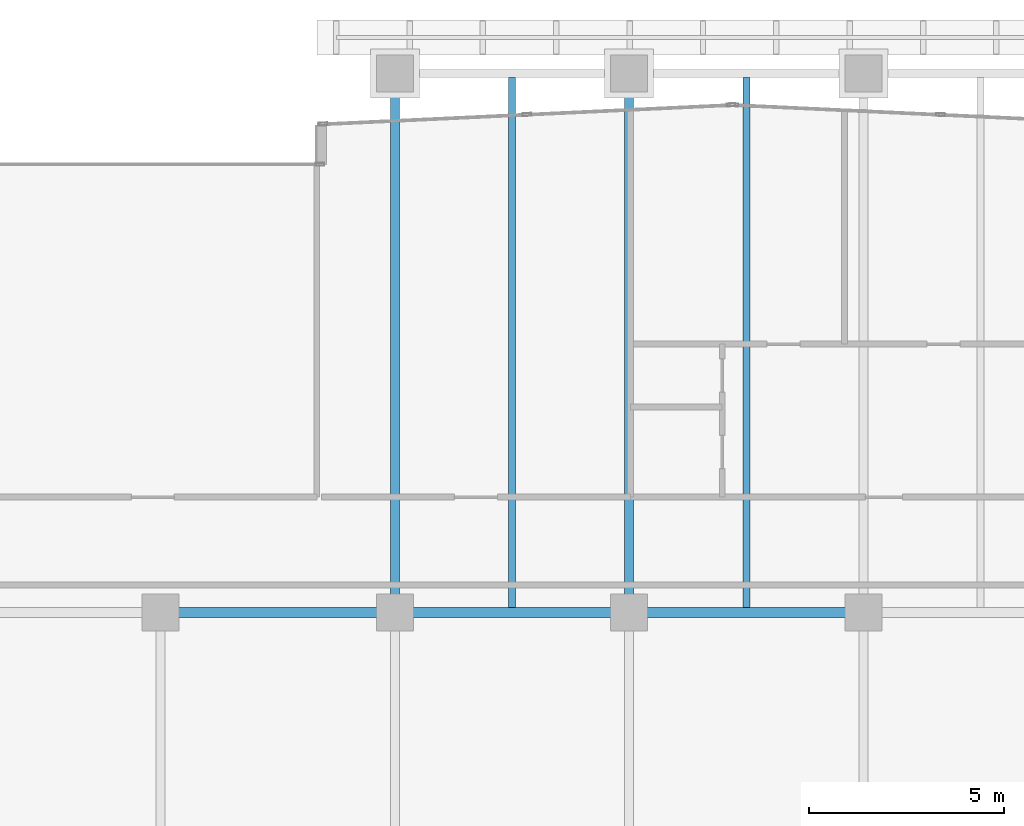
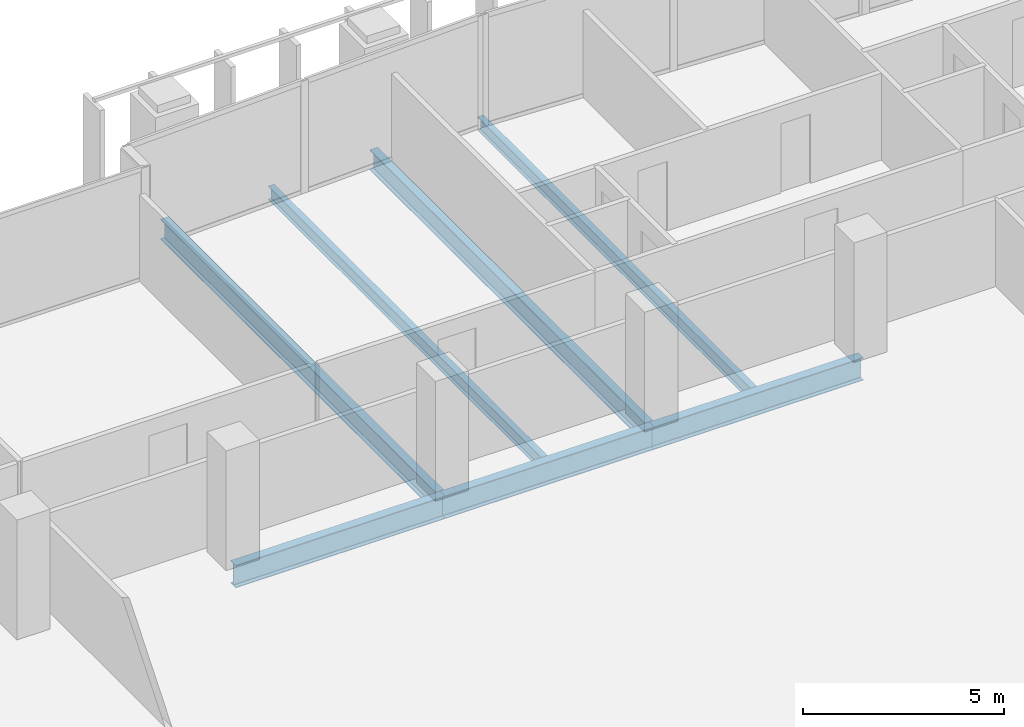
# One storey, part 15 of 39: 7 beams.
"""IFC4 building model written with IfcOpenShell, lengths in metres."""

import ifcopenshell
import ifcopenshell.guid

model = None  # the IFC model being written
_history = None  # IfcOwnerHistory: only IFC2X3 demands one
_inside = {}  # id of a spatial element -> (the spatial element, [elements in it])
_under = {}  # id of a project, library or spatial element -> (it, [spatial elements below it])
_declared = {}  # id of a project -> (the project, [libraries it declares])
_typed = {}  # id of a type object -> (the type object, [elements of that type])
_made_of = {}  # id of a material, layer set ... -> (it, [elements and type objects made of it])


def new_model(schema):
    """Start an empty IFC model of exactly this schema.

    Asked for "IFC4X3", IfcOpenShell would pick the latest addendum, in which some entities
    have other attributes; the version numbers below select the first issue.
    IFC2X3 requires an IfcOwnerHistory on every rooted entity: one is made here for all.
    """
    global model, _history
    if schema == "IFC4X3":
        model = ifcopenshell.file(schema_version=(4, 3, 0, 0))
    else:
        model = ifcopenshell.file(schema=schema)
    _inside.clear()
    _under.clear()
    _declared.clear()
    _typed.clear()
    _made_of.clear()
    _history = None
    if model.schema == "IFC2X3":
        org = make("IfcOrganization", Name="unknown")
        user = make(
            "IfcPersonAndOrganization",
            ThePerson=make("IfcPerson", FamilyName="unknown"),
            TheOrganization=org,
        )
        app = make(
            "IfcApplication",
            ApplicationDeveloper=org,
            Version="unknown",
            ApplicationFullName="unknown",
            ApplicationIdentifier="unknown",
        )
        _history = make(
            "IfcOwnerHistory",
            OwningUser=user,
            OwningApplication=app,
            ChangeAction="ADDED",
            CreationDate=0,
        )
    return model


def make(cls, **values):
    """One entity of the class cls with the attributes given. An attribute that is None is left unset."""
    return model.create_entity(
        cls, **{name: value for name, value in values.items() if value is not None}
    )


def rooted(cls, **values):
    """An entity with a GlobalId (a new one), such as an element, a storey or a relation."""
    return make(cls, GlobalId=ifcopenshell.guid.new(), OwnerHistory=_history, **values)


def si_unit(unit_type, name, prefix=None):
    """IfcSIUnit, for example si_unit("LENGTHUNIT", "METRE", prefix="MILLI")."""
    return make("IfcSIUnit", UnitType=unit_type, Prefix=prefix, Name=name)


def assignment(units):
    """IfcUnitAssignment: the units of a project."""
    return None if units is None else make("IfcUnitAssignment", Units=units)


def point(xyz):
    """IfcCartesianPoint."""
    return None if xyz is None else make("IfcCartesianPoint", Coordinates=xyz)


def direction(xyz):
    """IfcDirection."""
    return None if xyz is None else make("IfcDirection", DirectionRatios=xyz)


def frame(location, z_axis=None, x_axis=None):
    """IfcAxis2Placement3D, a coordinate frame: its origin and axes. An axis left out is left unset."""
    return make(
        "IfcAxis2Placement3D",
        Location=point(location),
        Axis=direction(z_axis),
        RefDirection=direction(x_axis),
    )


def frame_2d(location, x_axis=None):
    """IfcAxis2Placement2D, a coordinate frame in the plane: its origin and x axis."""
    return make(
        "IfcAxis2Placement2D", Location=point(location), RefDirection=direction(x_axis)
    )


def origin():
    """The frame at (0, 0, 0) with its axes left unset."""
    return frame((0.0, 0.0, 0.0))


def origin_2d():
    """The frame at (0, 0) in the plane with its x axis left unset."""
    return frame_2d((0.0, 0.0))


def place(relative_to, where):
    """IfcLocalPlacement: puts the frame where relative to a parent placement (None: the world)."""
    return make(
        "IfcLocalPlacement", PlacementRelTo=relative_to, RelativePlacement=where
    )


def context(
    kind, dimensions, precision=None, world=None, true_north=None, identifier=None
):
    """IfcGeometricRepresentationContext, for example the 3D "Model" context."""
    return make(
        "IfcGeometricRepresentationContext",
        ContextIdentifier=identifier,
        ContextType=kind,
        CoordinateSpaceDimension=dimensions,
        Precision=precision,
        WorldCoordinateSystem=world,
        TrueNorth=true_north,
    )


def subcontext(parent, identifier, kind, view, scale=None):
    """IfcGeometricRepresentationSubContext, for example "Body" below "Model"."""
    return make(
        "IfcGeometricRepresentationSubContext",
        ContextIdentifier=identifier,
        ContextType=kind,
        ParentContext=parent,
        TargetScale=scale,
        TargetView=view,
    )


def project(units=None, contexts=None):
    """IfcProject with its units and contexts."""
    return rooted(
        "IfcProject",
        Name="project",
        RepresentationContexts=contexts,
        UnitsInContext=assignment(units),
    )


def spatial(cls, under=None, at=None, **own):
    """A site, building, storey or space (cls), placed at a placement, below another one or the project."""
    s = rooted(cls, ObjectPlacement=at, **own)
    if under is not None:
        _under.setdefault(under.id(), (under, []))[1].append(s)
    return s


def profile(cls, at=None, kind="AREA", **sizes):
    """A parametric profile (cls). Its sizes go by their IFC names, for example OverallWidth=200.0."""
    return make(cls, ProfileType=kind, Position=at, **sizes)


def i_section(**sizes):
    """IfcIShapeProfileDef."""
    return profile("IfcIShapeProfileDef", **sizes)


def extrude(swept, where, along, depth):
    """IfcExtrudedAreaSolid: the profile swept, set in the frame where, extruded along a direction by depth."""
    return make(
        "IfcExtrudedAreaSolid",
        SweptArea=swept,
        Position=where,
        ExtrudedDirection=direction(along),
        Depth=depth,
    )


def shape(context_of_items, identifier, shape_type, items):
    """IfcShapeRepresentation: the items that make up one representation, for example the "Body"."""
    return make(
        "IfcShapeRepresentation",
        ContextOfItems=context_of_items,
        RepresentationIdentifier=identifier,
        RepresentationType=shape_type,
        Items=items,
    )


def material(Name=None, Category=None):
    """IfcMaterial."""
    return make("IfcMaterial", Name=Name, Category=Category)


def material_profile(
    of_material, cross_section, Name=None, Category=None, Priority=None
):
    """IfcMaterialProfile: a cross section and its material."""
    return make(
        "IfcMaterialProfile",
        Name=Name,
        Material=of_material,
        Profile=cross_section,
        Priority=Priority,
        Category=Category,
    )


def profile_set(profiles, Name=None, composite=None):
    """IfcMaterialProfileSet."""
    return make(
        "IfcMaterialProfileSet",
        Name=Name,
        MaterialProfiles=profiles,
        CompositeProfile=composite,
    )


def made_of(thing, what):
    """Note that an element or type object is made of a material, layer set ...; save() writes the relation."""
    if what is not None:
        _made_of.setdefault(what.id(), (what, []))[1].append(thing)
    return thing


def type_object(cls, material=None, **own):
    """A type object (cls), such as IfcWallType, which elements share."""
    return made_of(rooted(cls, **own), material)


def element(
    cls,
    number,
    at=None,
    inside=None,
    cuts=None,
    type_object=None,
    material=None,
    context=None,
    identifier="Body",
    shape_type=None,
    held_by="IfcProductDefinitionShape",
    body=None,
    shapes=None,
    **own,
):
    """One element of the class cls, such as IfcWall. Its Tag is "e" and its number.

    at: its placement. inside: the storey or other place that contains it. cuts: it is an
    opening in that element (IfcRelVoidsElement). A single representation is given by context,
    identifier, shape_type and body (its items); several are given by shapes. held_by: the class
    of the entity that holds the representations. save() writes the other relations.
    """
    e = rooted(cls, Tag="e%d" % number, ObjectPlacement=at, **own)
    if body is not None:
        shapes = [shape(context, identifier, shape_type, body)]
    if shapes is not None:
        e.Representation = make(held_by, Representations=shapes)
    if inside is not None:
        _inside.setdefault(inside.id(), (inside, []))[1].append(e)
    if cuts is not None:
        rooted(
            "IfcRelVoidsElement", RelatingBuildingElement=cuts, RelatedOpeningElement=e
        )
    if type_object is not None:
        _typed.setdefault(type_object.id(), (type_object, []))[1].append(e)
    return made_of(e, material)


def aggregate(whole, parts):
    """IfcRelAggregates: a whole, such as a stair, and the parts it consists of."""
    return rooted("IfcRelAggregates", RelatingObject=whole, RelatedObjects=parts)


def save(model, path):
    """Write the relations noted so far, then the file.

    IfcRelAggregates (storeys below a building ...), IfcRelContainedInSpatialStructure (elements
    in a storey), IfcRelDefinesByType, IfcRelAssociatesMaterial and IfcRelDeclares: one each for
    every whole, place, type object, material and project.
    """
    for whole, parts in _under.values():
        aggregate(whole, parts)
    for where, things in _inside.values():
        rooted(
            "IfcRelContainedInSpatialStructure",
            RelatedElements=things,
            RelatingStructure=where,
        )
    for kind, things in _typed.values():
        rooted("IfcRelDefinesByType", RelatedObjects=things, RelatingType=kind)
    for what, things in _made_of.values():
        rooted("IfcRelAssociatesMaterial", RelatedObjects=things, RelatingMaterial=what)
    for by, libraries in _declared.values():
        rooted("IfcRelDeclares", RelatingContext=by, RelatedDefinitions=libraries)
    model.write(path)


model = new_model("IFC4")

# Units and contexts
model_context = context("Model", 3, precision=1e-05, world=origin(), true_north=direction((0.0, 1.0)))
body_context = subcontext(model_context, "Body", "Model", "MODEL_VIEW")
ifc_project = project(units=[si_unit("LENGTHUNIT", "METRE"), si_unit("AREAUNIT", "SQUARE_METRE"), si_unit("VOLUMEUNIT", "CUBIC_METRE"), si_unit("PLANEANGLEUNIT", "RADIAN"), si_unit("MASSUNIT", "GRAM", prefix="KILO")], contexts=[model_context])

# Site, building, storey
site_placement = place(None, origin())
site = spatial("IfcSite", under=ifc_project, at=site_placement, CompositionType="ELEMENT")
building_placement = place(site_placement, origin())
building = spatial("IfcBuilding", under=site, at=building_placement, Name="Tanjung Sevakor Pilgrim Tower", CompositionType="ELEMENT")
storey_placement = place(building_placement, frame((0.0, 0.0, 112.199951171875)))
storey = spatial("IfcBuildingStorey", under=building, at=storey_placement, Name="L31", CompositionType="ELEMENT", Elevation=112.199951171875)

# Beams
ifc_material_1 = material(Name="Steel S355J2", Category="steel")
ifc_material_profile_1 = material_profile(ifc_material_1, i_section(OverallWidth=0.25439453125, OverallDepth=0.6875, WebThickness=0.01318359375, FlangeThickness=0.02099609375, FilletRadius=0.01513671875, at=origin_2d()))
ifc_profile_set_1 = profile_set([ifc_material_profile_1], Name="Steel S355J2")
beam_type_1 = type_object("IfcBeamType", Name="BM-B-G2-UB_686x254x152", PredefinedType="BEAM", material=ifc_profile_set_1)
for number, where, z_axis, x_axis, name in (
    (1, (48.0, 42.60009765625, -0.563720703125), (1.0, 0.0, 0.0), (0.0, 1.0, 0.0), "L31 Primary Floor Girder MAIN Y426-04"),
    (2, (54.0, 42.60009765625, -0.563720703125), (1.0, 0.0, 0.0), (0.0, 1.0, 0.0), "L31 Primary Floor Girder MAIN Y426-05"),
    (3, (60.0, 42.60009765625, -0.563720703125), (1.0, 0.0, 0.0), (0.0, 1.0, 0.0), "L31 Primary Floor Girder MAIN Y426-06"),
):
    element("IfcBeam", number, at=place(storey_placement, frame(where, z_axis=z_axis, x_axis=x_axis)), inside=storey, type_object=beam_type_1, Name=name, PredefinedType="BEAM", context=body_context, shape_type="SweptSolid", body=[
        extrude(i_section(OverallWidth=0.25439453125, OverallDepth=0.6875, WebThickness=0.01318359375, FlangeThickness=0.02099609375, FilletRadius=0.01513671875, at=origin_2d()), origin(), (0.0, 0.0, 1.0), 6.0),
    ])
ifc_material_2 = material(Name="Steel S355J2", Category="steel")
ifc_material_profile_2 = material_profile(ifc_material_2, i_section(OverallWidth=0.230224609375, OverallDepth=0.6171875, WebThickness=0.01318359375, FlangeThickness=0.022216796875, FilletRadius=0.0126953125, at=origin_2d()))
ifc_profile_set_2 = profile_set([ifc_material_profile_2], Name="Steel S355J2")
beam_type_2 = type_object("IfcBeamType", Name="BM-B-G3-UB_610x229x140", PredefinedType="BEAM", material=ifc_profile_set_2)
for number, where, z_axis, x_axis, name in (
    (4, (54.0, 42.60009765625, -0.528564453125), (0.0, 1.0, 0.0), (-1.0, 0.0, 0.0), "L31 MAIN Girder 019"),
    (5, (60.0, 42.60009765625, -0.528564453125), (0.0, 1.0, 0.0), (-1.0, 0.0, 0.0), "L31 MAIN Girder 024"),
):
    element("IfcBeam", number, at=place(storey_placement, frame(where, z_axis=z_axis, x_axis=x_axis)), inside=storey, type_object=beam_type_2, Name=name, PredefinedType="BEAM", context=body_context, shape_type="SweptSolid", body=[
        extrude(i_section(OverallWidth=0.230224609375, OverallDepth=0.6171875, WebThickness=0.01318359375, FlangeThickness=0.022216796875, FilletRadius=0.0126953125, at=origin_2d()), origin(), (0.0, 0.0, 1.0), 13.7998046875),
    ])
ifc_material_3 = material(Name="Steel S355J2", Category="steel")
ifc_material_profile_3 = material_profile(ifc_material_3, i_section(OverallWidth=0.1787109375, OverallDepth=0.409423828125, WebThickness=0.0087890625, FlangeThickness=0.014404296875, FilletRadius=0.01025390625, at=origin_2d()))
ifc_profile_set_3 = profile_set([ifc_material_profile_3], Name="Steel S355J2")
beam_type_3 = type_object("IfcBeamType", Name="BM-B-J3-UB_406x178x67", PredefinedType="JOIST", material=ifc_profile_set_3)
for number, where, z_axis, x_axis, name in (
    (6, (57.0, 42.727294921875, -0.424560546875), (0.0, 1.0, 0.0), (-1.0, 0.0, 0.0), "L31 MAIN Joist 021"),
    (7, (63.0, 42.727294921875, -0.424560546875), (0.0, 1.0, 0.0), (-1.0, 0.0, 0.0), "L31 MAIN Joist 026"),
):
    element("IfcBeam", number, at=place(storey_placement, frame(where, z_axis=z_axis, x_axis=x_axis)), inside=storey, type_object=beam_type_3, Name=name, PredefinedType="JOIST", context=body_context, shape_type="SweptSolid", body=[
        extrude(i_section(OverallWidth=0.1787109375, OverallDepth=0.409423828125, WebThickness=0.0087890625, FlangeThickness=0.014404296875, FilletRadius=0.01025390625, at=origin_2d()), origin(), (0.0, 0.0, 1.0), 13.57275390625),
    ])

save(model, "model.ifc")
